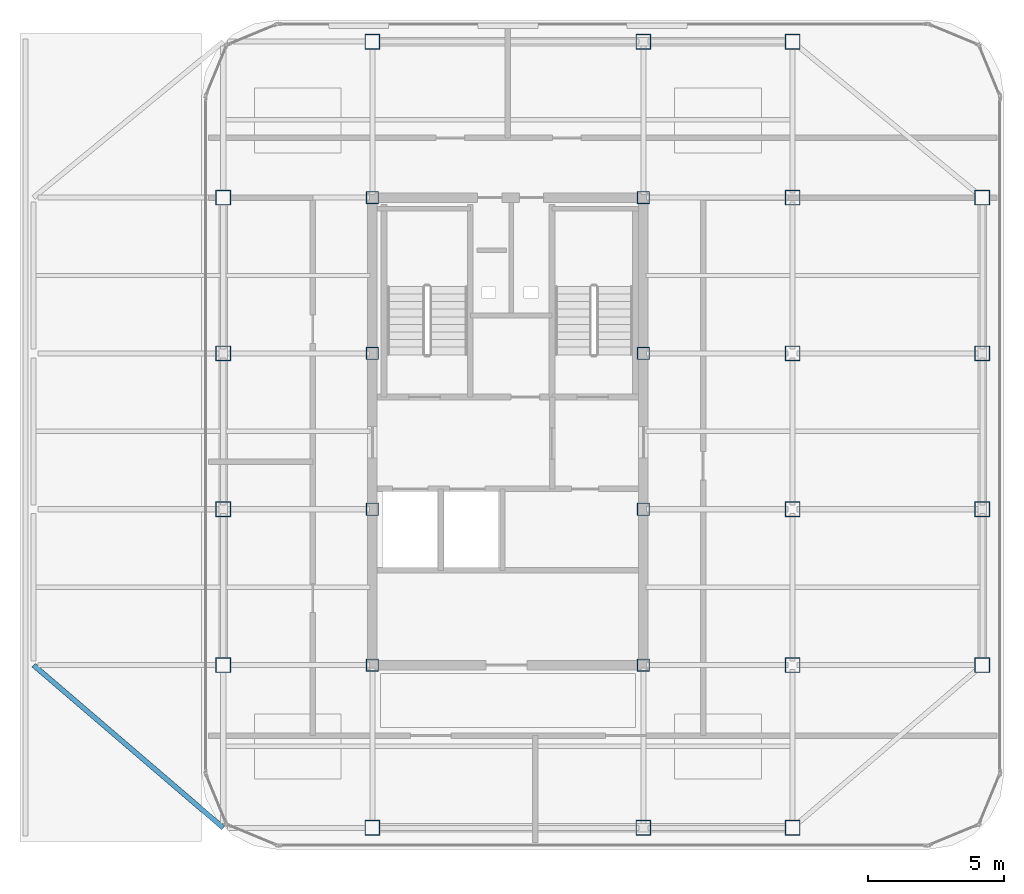
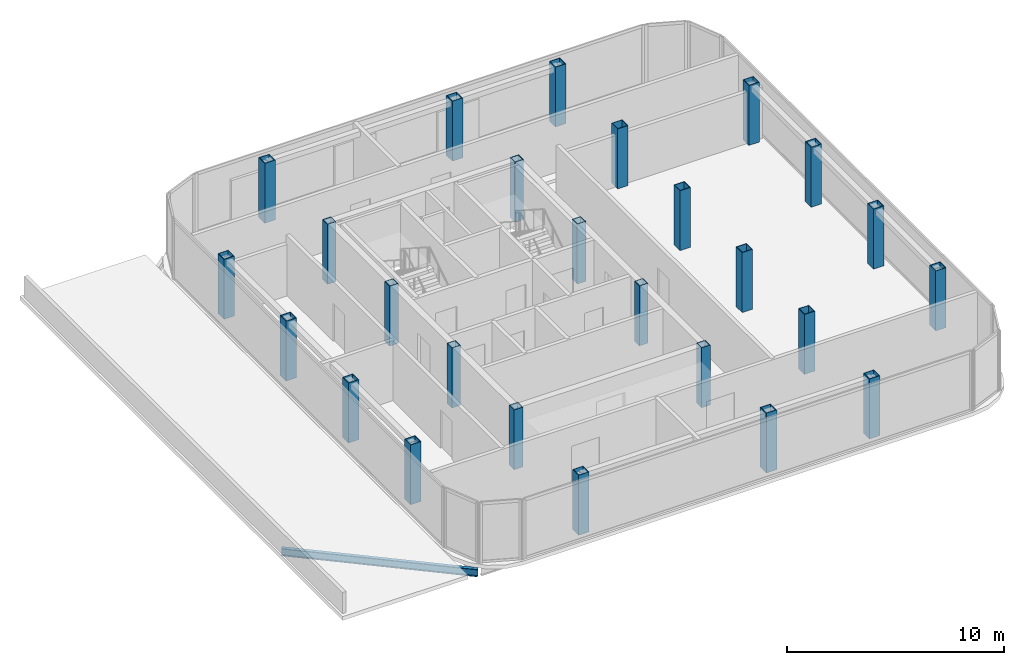
# One storey, part 1 of 11: 26 columns, 1 beam.
"""IFC4 building model written with IfcOpenShell, lengths in metres."""

from ifc_helpers import new_model, si_unit, direction, frame, origin, origin_2d, place, context, subcontext, project, spatial, hollow_rectangle, i_section, extrude, source, transform, mapped, material, material_profile, profile_set, type_object, element, save


model = new_model("IFC4")

# Units and contexts
model_context = context("Model", 3, precision=1e-05, world=origin(), true_north=direction((0.0, 1.0)))
body_context = subcontext(model_context, "Body", "Model", "MODEL_VIEW")
ifc_project = project(units=[si_unit("LENGTHUNIT", "METRE"), si_unit("AREAUNIT", "SQUARE_METRE"), si_unit("VOLUMEUNIT", "CUBIC_METRE"), si_unit("PLANEANGLEUNIT", "RADIAN"), si_unit("MASSUNIT", "GRAM", prefix="KILO")], contexts=[model_context])

# Site, building, storey
site_placement = place(None, origin())
site = spatial("IfcSite", under=ifc_project, at=site_placement, CompositionType="ELEMENT")
building_placement = place(site_placement, origin())
building = spatial("IfcBuilding", under=site, at=building_placement, Name="Kolveth Station Tower", CompositionType="ELEMENT")
storey_placement = place(building_placement, frame((0.0, 0.0, 278.5)))
storey = spatial("IfcBuildingStorey", under=building, at=storey_placement, Name="L80", CompositionType="ELEMENT", Elevation=278.5)

# Columns
ifc_material = material(Name="Steel S355", Category="steel")
ifc_material_profile_1 = material_profile(ifc_material, hollow_rectangle(XDim=0.56005859375, YDim=0.56005859375, WallThickness=0.030029296875, at=origin_2d()), Name="BOX560x560x30")
ifc_profile_set_1 = profile_set([ifc_material_profile_1], Name="Steel S355")
column_type_1 = type_object("IfcColumnType", Name="Col_C8", PredefinedType="COLUMN", material=ifc_profile_set_1)
shared_shape_1 = source(origin(), body_context, "Body", "SweptSolid", [
    extrude(hollow_rectangle(XDim=0.56005859375, YDim=0.56005859375, WallThickness=0.030029296875, at=origin_2d()), origin(), (0.0, 0.0, 1.0), 3.3798828125),
])
for number, where, z_axis, x_axis, name in (
    (1, (18.5, 5.5, 0.0), (0.0, 0.0, 1.0), (1.0, 0.0, 0.0), "L80 Tower Column S-X185"),
    (2, (18.5, 34.5, 0.0), (0.0, 0.0, 1.0), (1.0, 0.0, 0.0), "L80 Tower Column N-X185"),
    (3, (28.5, 5.5, 0.0), (0.0, 0.0, 1.0), (1.0, 0.0, 0.0), "L80 Tower Column S-X285"),
    (4, (28.5, 34.5, 0.0), (0.0, 0.0, 1.0), (1.0, 0.0, 0.0), "L80 Tower Column N-X285"),
    (5, (34.0, 5.5, 0.0), (0.0, 0.0, 1.0), (1.0, 0.0, 0.0), "L80 Tower Column S-X340"),
    (6, (34.0, 34.5, 0.0), (0.0, 0.0, 1.0), (1.0, 0.0, 0.0), "L80 Tower Column N-X340"),
    (7, (13.0, 11.5, 0.0), (0.0, 0.0, 1.0), (1.0, 0.0, 0.0), "L80 Tower Column W-Y115"),
    (8, (41.0, 11.5, 0.0), (0.0, 0.0, 1.0), (1.0, 0.0, 0.0), "L80 Tower Column E-Y115"),
    (9, (13.0, 17.25, 0.0), (0.0, 0.0, 1.0), (1.0, 0.0, 0.0), "L80 Tower Column W-Y172"),
    (10, (41.0, 17.25, 0.0), (0.0, 0.0, 1.0), (1.0, 0.0, 0.0), "L80 Tower Column E-Y172"),
    (11, (13.0, 23.0, 0.0), (0.0, 0.0, 1.0), (1.0, 0.0, 0.0), "L80 Tower Column W-Y230"),
    (12, (41.0, 23.0, 0.0), (0.0, 0.0, 1.0), (1.0, 0.0, 0.0), "L80 Tower Column E-Y230"),
    (13, (13.0, 28.75, 0.0), (0.0, 0.0, 1.0), (1.0, 0.0, 0.0), "L80 Tower Column W-Y287"),
    (14, (41.0, 28.75, 0.0), (0.0, 0.0, 1.0), (1.0, 0.0, 0.0), "L80 Tower Column E-Y287"),
    (15, (34.0, 11.5, 0.0), (0.0, 0.0, 1.0), (1.0, 0.0, 0.0), "L80 Tower Column G-340-115"),
    (16, (34.0, 17.25, 0.0), (0.0, 0.0, 1.0), (1.0, 0.0, 0.0), "L80 Tower Column G-340-172"),
    (17, (34.0, 23.0, 0.0), (0.0, 0.0, 1.0), (1.0, 0.0, 0.0), "L80 Tower Column G-340-230"),
    (18, (34.0, 28.75, 0.0), (0.0, 0.0, 1.0), (1.0, 0.0, 0.0), "L80 Tower Column G-340-287"),
):
    element("IfcColumn", number, at=place(storey_placement, frame(where, z_axis=z_axis, x_axis=x_axis)), inside=storey, type_object=column_type_1, Name=name, PredefinedType="COLUMN", context=body_context, shape_type="MappedRepresentation", body=[
        mapped(shared_shape_1, transform((0.0, 0.0, 0.0), x_axis=(1.0, 0.0, 0.0), y_axis=(0.0, 1.0, 0.0), z_axis=(0.0, 0.0, 1.0), scale=1.0)),
    ])
ifc_material_profile_2 = material_profile(ifc_material, hollow_rectangle(XDim=0.4599609375, YDim=0.4599609375, WallThickness=0.02490234375, at=origin_2d()), Name="BOX460x460x25")
ifc_profile_set_2 = profile_set([ifc_material_profile_2], Name="Steel S355")
column_type_2 = type_object("IfcColumnType", Name="Col_C9", PredefinedType="COLUMN", material=ifc_profile_set_2)
shared_shape_2 = source(origin(), body_context, "Body", "SweptSolid", [
    extrude(hollow_rectangle(XDim=0.4599609375, YDim=0.4599609375, WallThickness=0.02490234375, at=origin_2d()), origin(), (0.0, 0.0, 1.0), 3.3798828125),
])
for number, where, z_axis, x_axis, name in (
    (19, (18.5, 11.5, 0.0), (0.0, 0.0, 1.0), (1.0, 0.0, 0.0), "L80 Tower Column G-185-115"),
    (20, (18.5, 17.25, 0.0), (0.0, 0.0, 1.0), (1.0, 0.0, 0.0), "L80 Tower Column G-185-172"),
    (21, (18.5, 23.0, 0.0), (0.0, 0.0, 1.0), (1.0, 0.0, 0.0), "L80 Tower Column G-185-230"),
    (22, (18.5, 28.75, 0.0), (0.0, 0.0, 1.0), (1.0, 0.0, 0.0), "L80 Tower Column G-185-287"),
    (23, (28.5, 11.5, 0.0), (0.0, 0.0, 1.0), (1.0, 0.0, 0.0), "L80 Tower Column G-285-115"),
    (24, (28.5, 17.25, 0.0), (0.0, 0.0, 1.0), (1.0, 0.0, 0.0), "L80 Tower Column G-285-172"),
    (25, (28.5, 23.0, 0.0), (0.0, 0.0, 1.0), (1.0, 0.0, 0.0), "L80 Tower Column G-285-230"),
    (26, (28.5, 28.75, 0.0), (0.0, 0.0, 1.0), (1.0, 0.0, 0.0), "L80 Tower Column G-285-287"),
):
    element("IfcColumn", number, at=place(storey_placement, frame(where, z_axis=z_axis, x_axis=x_axis)), inside=storey, type_object=column_type_2, Name=name, PredefinedType="COLUMN", context=body_context, shape_type="MappedRepresentation", body=[
        mapped(shared_shape_2, transform((0.0, 0.0, 0.0), x_axis=(1.0, 0.0, 0.0), y_axis=(0.0, 1.0, 0.0), z_axis=(0.0, 0.0, 1.0), scale=1.0)),
    ])

# Beam
ifc_material_profile_3 = material_profile(ifc_material, i_section(OverallWidth=0.180908203125, OverallDepth=0.4169921875, WebThickness=0.010986328125, FlangeThickness=0.018310546875, at=origin_2d()), Name="W410x85")
ifc_profile_set_3 = profile_set([ifc_material_profile_3], Name="Steel S355")
beam_type = type_object("IfcBeamType", Name="Beam_B8", PredefinedType="BEAM", material=ifc_profile_set_3)
shared_shape_3 = source(origin(), body_context, "Body", "SweptSolid", [
    extrude(i_section(OverallWidth=0.180908203125, OverallDepth=0.4169921875, WebThickness=0.010986328125, FlangeThickness=0.018310546875, at=origin_2d()), origin(), (0.0, 0.0, 1.0), 9.219482421875),
])
beam_placement = place(storey_placement, frame((6.0, 11.5, -0.428466796875), z_axis=(0.759256602365, -0.650791373456, 0.0), x_axis=(0.650791373456, 0.759256602365, 0.0)))
element("IfcBeam", 27, at=beam_placement, inside=storey, type_object=beam_type, Name="L80 Corner Edge Girder BM-L80-CNR-SW", PredefinedType="BEAM", context=body_context, shape_type="MappedRepresentation", body=[
    mapped(shared_shape_3, transform((0.0, 0.0, 0.0), x_axis=(1.0, 0.0, 0.0), y_axis=(0.0, 1.0, 0.0), z_axis=(0.0, 0.0, 1.0), scale=1.0)),
])

save(model, "model.ifc")
